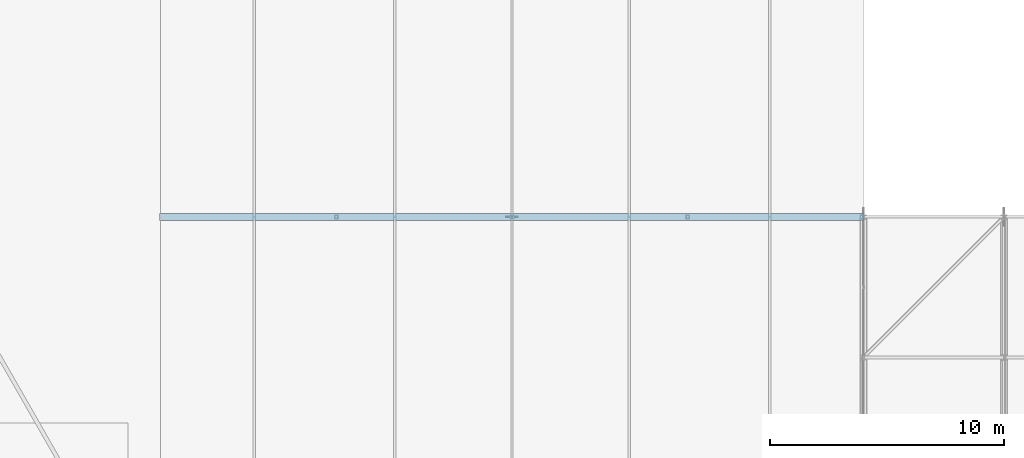
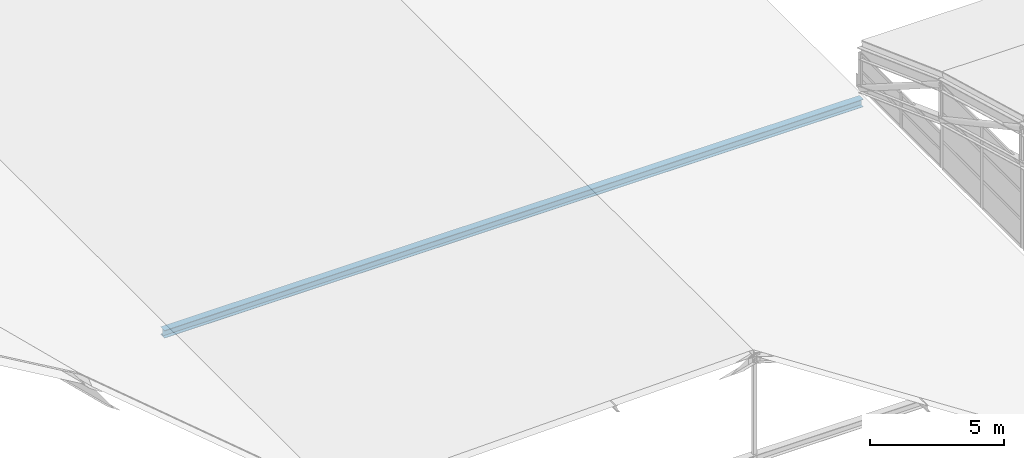
# One storey, part 17 of 204: 1 member.
"""IFC4 building model written with IfcOpenShell, lengths in metres."""

import ifcopenshell
import ifcopenshell.guid

model = None  # the IFC model being written
_history = None  # IfcOwnerHistory: only IFC2X3 demands one
_inside = {}  # id of a spatial element -> (the spatial element, [elements in it])
_under = {}  # id of a project, library or spatial element -> (it, [spatial elements below it])
_declared = {}  # id of a project -> (the project, [libraries it declares])
_typed = {}  # id of a type object -> (the type object, [elements of that type])
_made_of = {}  # id of a material, layer set ... -> (it, [elements and type objects made of it])


def new_model(schema):
    """Start an empty IFC model of exactly this schema.

    Asked for "IFC4X3", IfcOpenShell would pick the latest addendum, in which some entities
    have other attributes; the version numbers below select the first issue.
    IFC2X3 requires an IfcOwnerHistory on every rooted entity: one is made here for all.
    """
    global model, _history
    if schema == "IFC4X3":
        model = ifcopenshell.file(schema_version=(4, 3, 0, 0))
    else:
        model = ifcopenshell.file(schema=schema)
    _inside.clear()
    _under.clear()
    _declared.clear()
    _typed.clear()
    _made_of.clear()
    _history = None
    if model.schema == "IFC2X3":
        org = make("IfcOrganization", Name="unknown")
        user = make(
            "IfcPersonAndOrganization",
            ThePerson=make("IfcPerson", FamilyName="unknown"),
            TheOrganization=org,
        )
        app = make(
            "IfcApplication",
            ApplicationDeveloper=org,
            Version="unknown",
            ApplicationFullName="unknown",
            ApplicationIdentifier="unknown",
        )
        _history = make(
            "IfcOwnerHistory",
            OwningUser=user,
            OwningApplication=app,
            ChangeAction="ADDED",
            CreationDate=0,
        )
    return model


def make(cls, **values):
    """One entity of the class cls with the attributes given. An attribute that is None is left unset."""
    return model.create_entity(
        cls, **{name: value for name, value in values.items() if value is not None}
    )


def rooted(cls, **values):
    """An entity with a GlobalId (a new one), such as an element, a storey or a relation."""
    return make(cls, GlobalId=ifcopenshell.guid.new(), OwnerHistory=_history, **values)


def si_unit(unit_type, name, prefix=None):
    """IfcSIUnit, for example si_unit("LENGTHUNIT", "METRE", prefix="MILLI")."""
    return make("IfcSIUnit", UnitType=unit_type, Prefix=prefix, Name=name)


def assignment(units):
    """IfcUnitAssignment: the units of a project."""
    return None if units is None else make("IfcUnitAssignment", Units=units)


def point(xyz):
    """IfcCartesianPoint."""
    return None if xyz is None else make("IfcCartesianPoint", Coordinates=xyz)


def direction(xyz):
    """IfcDirection."""
    return None if xyz is None else make("IfcDirection", DirectionRatios=xyz)


def frame(location, z_axis=None, x_axis=None):
    """IfcAxis2Placement3D, a coordinate frame: its origin and axes. An axis left out is left unset."""
    return make(
        "IfcAxis2Placement3D",
        Location=point(location),
        Axis=direction(z_axis),
        RefDirection=direction(x_axis),
    )


def frame_2d(location, x_axis=None):
    """IfcAxis2Placement2D, a coordinate frame in the plane: its origin and x axis."""
    return make(
        "IfcAxis2Placement2D", Location=point(location), RefDirection=direction(x_axis)
    )


def origin():
    """The frame at (0, 0, 0) with its axes left unset."""
    return frame((0.0, 0.0, 0.0))


def origin_2d():
    """The frame at (0, 0) in the plane with its x axis left unset."""
    return frame_2d((0.0, 0.0))


def place(relative_to, where):
    """IfcLocalPlacement: puts the frame where relative to a parent placement (None: the world)."""
    return make(
        "IfcLocalPlacement", PlacementRelTo=relative_to, RelativePlacement=where
    )


def context(
    kind, dimensions, precision=None, world=None, true_north=None, identifier=None
):
    """IfcGeometricRepresentationContext, for example the 3D "Model" context."""
    return make(
        "IfcGeometricRepresentationContext",
        ContextIdentifier=identifier,
        ContextType=kind,
        CoordinateSpaceDimension=dimensions,
        Precision=precision,
        WorldCoordinateSystem=world,
        TrueNorth=true_north,
    )


def subcontext(parent, identifier, kind, view, scale=None):
    """IfcGeometricRepresentationSubContext, for example "Body" below "Model"."""
    return make(
        "IfcGeometricRepresentationSubContext",
        ContextIdentifier=identifier,
        ContextType=kind,
        ParentContext=parent,
        TargetScale=scale,
        TargetView=view,
    )


def project(units=None, contexts=None):
    """IfcProject with its units and contexts."""
    return rooted(
        "IfcProject",
        Name="project",
        RepresentationContexts=contexts,
        UnitsInContext=assignment(units),
    )


def spatial(cls, under=None, at=None, **own):
    """A site, building, storey or space (cls), placed at a placement, below another one or the project."""
    s = rooted(cls, ObjectPlacement=at, **own)
    if under is not None:
        _under.setdefault(under.id(), (under, []))[1].append(s)
    return s


def profile(cls, at=None, kind="AREA", **sizes):
    """A parametric profile (cls). Its sizes go by their IFC names, for example OverallWidth=200.0."""
    return make(cls, ProfileType=kind, Position=at, **sizes)


def i_section(**sizes):
    """IfcIShapeProfileDef."""
    return profile("IfcIShapeProfileDef", **sizes)


def extrude(swept, where, along, depth):
    """IfcExtrudedAreaSolid: the profile swept, set in the frame where, extruded along a direction by depth."""
    return make(
        "IfcExtrudedAreaSolid",
        SweptArea=swept,
        Position=where,
        ExtrudedDirection=direction(along),
        Depth=depth,
    )


def shape(context_of_items, identifier, shape_type, items):
    """IfcShapeRepresentation: the items that make up one representation, for example the "Body"."""
    return make(
        "IfcShapeRepresentation",
        ContextOfItems=context_of_items,
        RepresentationIdentifier=identifier,
        RepresentationType=shape_type,
        Items=items,
    )


def material(Name=None, Category=None):
    """IfcMaterial."""
    return make("IfcMaterial", Name=Name, Category=Category)


def material_profile(
    of_material, cross_section, Name=None, Category=None, Priority=None
):
    """IfcMaterialProfile: a cross section and its material."""
    return make(
        "IfcMaterialProfile",
        Name=Name,
        Material=of_material,
        Profile=cross_section,
        Priority=Priority,
        Category=Category,
    )


def profile_set(profiles, Name=None, composite=None):
    """IfcMaterialProfileSet."""
    return make(
        "IfcMaterialProfileSet",
        Name=Name,
        MaterialProfiles=profiles,
        CompositeProfile=composite,
    )


def made_of(thing, what):
    """Note that an element or type object is made of a material, layer set ...; save() writes the relation."""
    if what is not None:
        _made_of.setdefault(what.id(), (what, []))[1].append(thing)
    return thing


def type_object(cls, material=None, **own):
    """A type object (cls), such as IfcWallType, which elements share."""
    return made_of(rooted(cls, **own), material)


def element(
    cls,
    number,
    at=None,
    inside=None,
    cuts=None,
    type_object=None,
    material=None,
    context=None,
    identifier="Body",
    shape_type=None,
    held_by="IfcProductDefinitionShape",
    body=None,
    shapes=None,
    **own,
):
    """One element of the class cls, such as IfcWall. Its Tag is "e" and its number.

    at: its placement. inside: the storey or other place that contains it. cuts: it is an
    opening in that element (IfcRelVoidsElement). A single representation is given by context,
    identifier, shape_type and body (its items); several are given by shapes. held_by: the class
    of the entity that holds the representations. save() writes the other relations.
    """
    e = rooted(cls, Tag="e%d" % number, ObjectPlacement=at, **own)
    if body is not None:
        shapes = [shape(context, identifier, shape_type, body)]
    if shapes is not None:
        e.Representation = make(held_by, Representations=shapes)
    if inside is not None:
        _inside.setdefault(inside.id(), (inside, []))[1].append(e)
    if cuts is not None:
        rooted(
            "IfcRelVoidsElement", RelatingBuildingElement=cuts, RelatedOpeningElement=e
        )
    if type_object is not None:
        _typed.setdefault(type_object.id(), (type_object, []))[1].append(e)
    return made_of(e, material)


def aggregate(whole, parts):
    """IfcRelAggregates: a whole, such as a stair, and the parts it consists of."""
    return rooted("IfcRelAggregates", RelatingObject=whole, RelatedObjects=parts)


def save(model, path):
    """Write the relations noted so far, then the file.

    IfcRelAggregates (storeys below a building ...), IfcRelContainedInSpatialStructure (elements
    in a storey), IfcRelDefinesByType, IfcRelAssociatesMaterial and IfcRelDeclares: one each for
    every whole, place, type object, material and project.
    """
    for whole, parts in _under.values():
        aggregate(whole, parts)
    for where, things in _inside.values():
        rooted(
            "IfcRelContainedInSpatialStructure",
            RelatedElements=things,
            RelatingStructure=where,
        )
    for kind, things in _typed.values():
        rooted("IfcRelDefinesByType", RelatedObjects=things, RelatingType=kind)
    for what, things in _made_of.values():
        rooted("IfcRelAssociatesMaterial", RelatedObjects=things, RelatingMaterial=what)
    for by, libraries in _declared.values():
        rooted("IfcRelDeclares", RelatingContext=by, RelatedDefinitions=libraries)
    model.write(path)


model = new_model("IFC4")

# Units and contexts
model_context = context("Model", 3, precision=1e-05, world=origin(), true_north=direction((0.0, 1.0)))
body_context = subcontext(model_context, "Body", "Model", "MODEL_VIEW")
ifc_project = project(units=[si_unit("LENGTHUNIT", "METRE"), si_unit("AREAUNIT", "SQUARE_METRE"), si_unit("VOLUMEUNIT", "CUBIC_METRE"), si_unit("PLANEANGLEUNIT", "RADIAN"), si_unit("MASSUNIT", "GRAM", prefix="KILO")], contexts=[model_context])

# Site, building, storey
site_placement = place(None, origin())
site = spatial("IfcSite", under=ifc_project, at=site_placement, CompositionType="ELEMENT")
building_placement = place(site_placement, origin())
building = spatial("IfcBuilding", under=site, at=building_placement, Name="Zilviju Railside Exhibition Hall", CompositionType="ELEMENT")
storey_placement = place(building_placement, frame((0.0, 0.0, 21.0)))
storey = spatial("IfcBuildingStorey", under=building, at=storey_placement, Name="RF", CompositionType="ELEMENT", Elevation=21.0)

# Member
ifc_material = material(Name="Steel S355J2", Category="steel")
ifc_material_profile = material_profile(ifc_material, i_section(OverallWidth=0.300048828125, OverallDepth=0.35009765625, WebThickness=0.010009765625, FlangeThickness=0.017578125, at=origin_2d()), Name="HEA 360")
ifc_profile_set = profile_set([ifc_material_profile], Name="Steel S355J2")
member_type = type_object("IfcMemberType", Name="TR-CH-HEA360", PredefinedType="CHORD", material=ifc_profile_set)
member_placement = place(storey_placement, frame((48.0, 54.0, -8.39990234375), z_axis=(1.0, 0.0, 0.0), x_axis=(0.0, 1.0, 0.0)))
element("IfcMember", 1, at=member_placement, inside=storey, type_object=member_type, Name="Concourse Saddle Tie Chord Y=54.0", PredefinedType="CHORD", context=body_context, shape_type="SweptSolid", body=[
    extrude(i_section(OverallWidth=0.300048828125, OverallDepth=0.35009765625, WebThickness=0.010009765625, FlangeThickness=0.017578125, at=origin_2d()), origin(), (0.0, 0.0, 1.0), 30.0),
])

save(model, "model.ifc")
